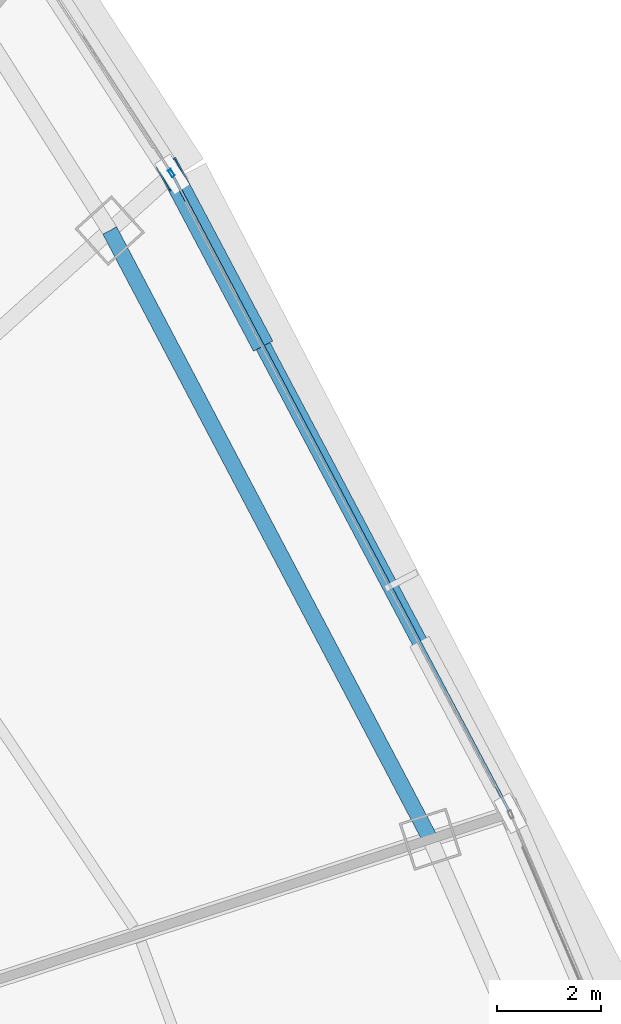
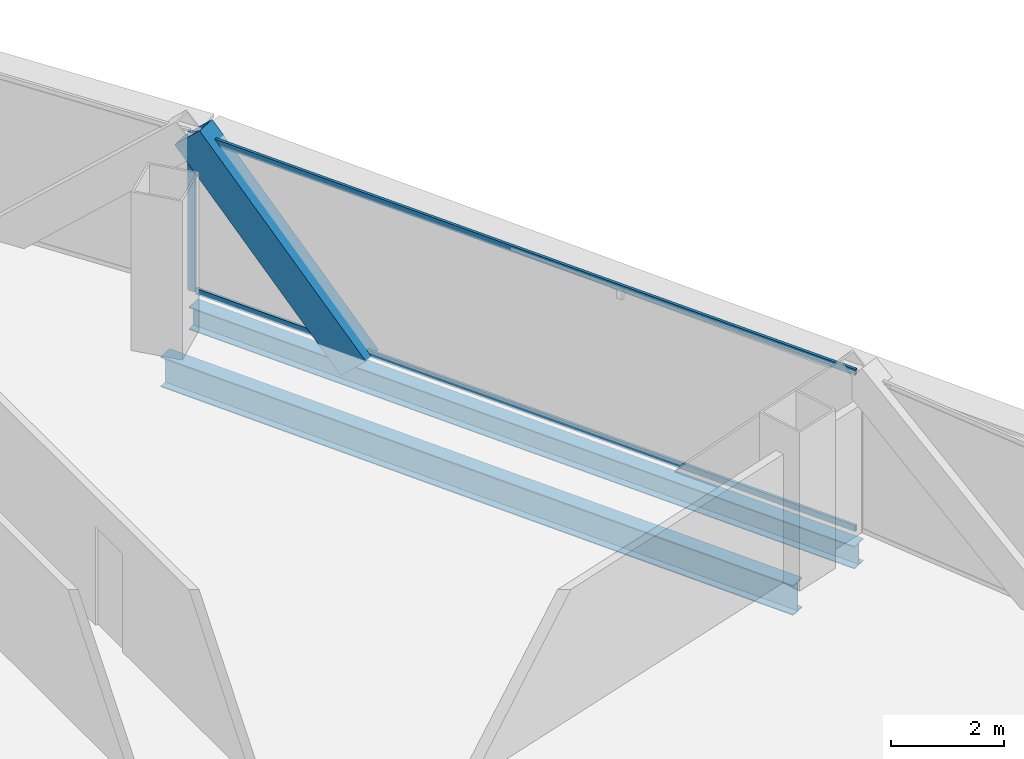
# One storey, part 27 of 39: 4 members, 2 beams, 2 elements without a shape of their own.
"""IFC4 building model written with IfcOpenShell, lengths in metres."""

from ifc_helpers import new_model, si_unit, direction, frame, origin, origin_2d, place, context, subcontext, project, spatial, hollow_rectangle, i_section, extrude, source, transform, mapped, material, layer, layer_set, material_profile, profile_set, type_object, element, aggregate, save


model = new_model("IFC4")

# Units and contexts
model_context = context("Model", 3, precision=1e-05, world=origin(), true_north=direction((0.0, 1.0)))
body_context = subcontext(model_context, "Body", "Model", "MODEL_VIEW")
ifc_project = project(units=[si_unit("LENGTHUNIT", "METRE"), si_unit("AREAUNIT", "SQUARE_METRE"), si_unit("VOLUMEUNIT", "CUBIC_METRE"), si_unit("PLANEANGLEUNIT", "RADIAN"), si_unit("MASSUNIT", "GRAM", prefix="KILO"), si_unit("THERMODYNAMICTEMPERATUREUNIT", "KELVIN"), si_unit("POWERUNIT", "WATT")], contexts=[model_context])

# Site, building, storey
site_placement = place(None, origin())
site = spatial("IfcSite", under=ifc_project, at=site_placement, CompositionType="ELEMENT")
building_placement = place(site_placement, origin())
building = spatial("IfcBuilding", under=site, at=building_placement, Name="Yunzhuo Pagoda Commons", CompositionType="ELEMENT")
storey_placement = place(building_placement, frame((0.0, 0.0, 140.8701171875)))
storey = spatial("IfcBuildingStorey", under=building, at=storey_placement, Name="L35", CompositionType="ELEMENT", Elevation=140.8701171875)

# Beams
ifc_material_1 = material(Name="Structural steel Q355B", Category="steel")
ifc_material_profile_1 = material_profile(ifc_material_1, i_section(OverallWidth=0.300048828125, OverallDepth=0.64990234375, WebThickness=0.012939453125, FlangeThickness=0.02197265625, at=origin_2d()), Name="Structural steel Q355B")
ifc_profile_set_1 = profile_set([ifc_material_profile_1], Name="Structural steel Q355B")
beam_type_1 = type_object("IfcBeamType", Name="B-RG2 Beam HN 650x300x13x22", PredefinedType="BEAM", material=ifc_profile_set_1)
shared_shape_1 = source(origin(), body_context, "Body", "SweptSolid", [
    extrude(i_section(OverallWidth=0.300048828125, OverallDepth=0.64990234375, WebThickness=0.012939453125, FlangeThickness=0.02197265625, at=origin_2d()), origin(), (0.0, 0.0, 1.0), 13.198974609375),
])
beam_1_placement = place(storey_placement, frame((77.915283203125, 43.420166015625, -0.585205078125), z_axis=(-0.465885937554, 0.884844784801, 0.0), x_axis=(-0.884844784801, -0.465885937554, 0.0)))
element("IfcBeam", 1, at=beam_1_placement, inside=storey, type_object=beam_type_1, Name="L35 column-ring beam 6", PredefinedType="BEAM", context=body_context, shape_type="MappedRepresentation", body=[
    mapped(shared_shape_1, transform((0.0, 0.0, 0.0), scale=1.0)),
])
ifc_material_profile_2 = material_profile(ifc_material_1, i_section(OverallWidth=0.300048828125, OverallDepth=0.488037109375, WebThickness=0.010986328125, FlangeThickness=0.01806640625, at=origin_2d()), Name="Structural steel Q355B")
ifc_profile_set_2 = profile_set([ifc_material_profile_2], Name="Structural steel Q355B")
beam_type_2 = type_object("IfcBeamType", Name="B-SP1 Beam HM 488x300x11x18", PredefinedType="BEAM", material=ifc_profile_set_2)
shared_shape_2 = source(origin(), body_context, "Body", "SweptSolid", [
    extrude(i_section(OverallWidth=0.300048828125, OverallDepth=0.488037109375, WebThickness=0.010986328125, FlangeThickness=0.01806640625, at=origin_2d()), origin(), (0.0, 0.0, 1.0), 13.869384765625),
])
beam_2_placement = place(storey_placement, frame((79.45166015625, 43.91943359375, -0.504150390625), z_axis=(-0.467725147868, 0.883873965027, 0.0), x_axis=(-0.883873965027, -0.467725147868, 0.0)))
element("IfcBeam", 2, at=beam_2_placement, inside=storey, type_object=beam_type_2, Name="L35 facade edge spandrel beam F2.2", PredefinedType="BEAM", context=body_context, shape_type="MappedRepresentation", body=[
    mapped(shared_shape_2, transform((0.0, 0.0, 0.0), scale=1.0)),
])

# Member
ifc_material_2 = material(Name="Structural steel Q420B", Category="steel")
ifc_material_profile_3 = material_profile(ifc_material_2, hollow_rectangle(XDim=0.419921875, YDim=0.719970703125, WallThickness=0.028076171875, at=origin_2d()), Name="Structural steel Q420B")
ifc_profile_set_3 = profile_set([ifc_material_profile_3], Name="Structural steel Q420B")
member_type_1 = type_object("IfcMemberType", Name="M-DL1 Brace BOX 720x420x28", PredefinedType="BRACE", material=ifc_profile_set_3)
shared_shape_3 = source(origin(), body_context, "Body", "SweptSolid", [
    extrude(hollow_rectangle(XDim=0.419921875, YDim=0.719970703125, WallThickness=0.028076171875, at=origin_2d()), origin(), (0.0, 0.0, 1.0), 5.05615234375),
])
member_1_placement = place(storey_placement, frame((74.58642578125, 53.113525390625, -0.260009765625), z_axis=(-0.320763482228, 0.606133372333, 0.727813934611), x_axis=(-0.883866687787, -0.467738899623, 0.0)))
element("IfcMember", 3, at=member_1_placement, inside=storey, type_object=member_type_1, Name="L35 facade diamond brace F2.2R", PredefinedType="BRACE", context=body_context, shape_type="MappedRepresentation", body=[
    mapped(shared_shape_3, transform((0.0, 0.0, 0.0), scale=1.0)),
])

# Curtain wall, member
ifc_material_3 = material(Name="Anodized aluminium 6063-T6", Category="aluminium")
ifc_layer = layer(ifc_material_3, 0.14990234375)
ifc_layer_set = layer_set([ifc_layer], Name="Anodized aluminium 6063-T6")
curtain_wall_type = type_object("IfcCurtainWallType", Name="CW-MID Mid-Zone Ribbon Curtain Wall", PredefinedType="NOTDEFINED", material=ifc_layer_set)
curtain_wall_1_placement = place(storey_placement, origin())
curtain_wall_1 = element("IfcCurtainWall", 4, at=curtain_wall_1_placement, inside=storey, type_object=curtain_wall_type, Name="L35 curtain wall CW-L35-F2B4", PredefinedType="NOTDEFINED")
ifc_material_profile_4 = material_profile(ifc_material_3, hollow_rectangle(XDim=0.06005859375, YDim=0.14990234375, WallThickness=0.00390625, at=origin_2d()), Name="Anodized aluminium 6063-T6")
ifc_profile_set_4 = profile_set([ifc_material_profile_4], Name="Anodized aluminium 6063-T6")
member_type_2 = type_object("IfcMemberType", Name="CW-MID-M Mullion RHS 150x60x4", PredefinedType="MULLION", material=ifc_profile_set_4)
shared_shape_4 = source(origin(), body_context, "Body", "SweptSolid", [
    extrude(hollow_rectangle(XDim=0.06005859375, YDim=0.14990234375, WallThickness=0.00390625, at=origin_2d()), origin(), (0.0, 0.0, 1.0), 3.419921875),
])
member_2_placement = place(storey_placement, frame((72.948486328125, 56.203369140625, 0.0), z_axis=(0.0, 0.0, 1.0), x_axis=(-0.839320281383, -0.543637255216, 0.0)))
member_2 = element("IfcMember", 5, at=member_2_placement, type_object=member_type_2, Name="CW mullion 1", PredefinedType="MULLION", context=body_context, shape_type="MappedRepresentation", body=[
    mapped(shared_shape_4, transform((0.0, 0.0, 0.0), scale=1.0)),
])
aggregate(curtain_wall_1, [member_2])

# Curtain wall, members
curtain_wall_2_placement = place(storey_placement, origin())
curtain_wall_2 = element("IfcCurtainWall", 6, at=curtain_wall_2_placement, inside=storey, type_object=curtain_wall_type, Name="L35 curtain wall CW-L35-F2B3", PredefinedType="NOTDEFINED")
ifc_material_profile_5 = material_profile(ifc_material_3, hollow_rectangle(XDim=0.054931640625, YDim=0.1298828125, WallThickness=0.00341796875, at=origin_2d()), Name="Anodized aluminium 6063-T6")
ifc_profile_set_5 = profile_set([ifc_material_profile_5], Name="Anodized aluminium 6063-T6")
member_type_3 = type_object("IfcMemberType", Name="CW-MID-T Transom RHS 130x55x3.5", PredefinedType="USERDEFINED", material=ifc_profile_set_5)
shared_shape_5 = source(origin(), body_context, "Body", "SweptSolid", [
    extrude(hollow_rectangle(XDim=0.054931640625, YDim=0.1298828125, WallThickness=0.00341796875, at=origin_2d()), origin(), (0.0, 0.0, 1.0), 13.74951171875),
])
member_3_placement = place(storey_placement, frame((79.423583984375, 43.972412109375, 0.02734375), z_axis=(-0.467720466259, 0.883876442407, 0.0), x_axis=(-0.883876442407, -0.467720466259, 0.0)))
member_3 = element("IfcMember", 7, at=member_3_placement, type_object=member_type_3, Name="CW transom 1.1", ObjectType="TRANSOM", PredefinedType="USERDEFINED", context=body_context, shape_type="MappedRepresentation", body=[
    mapped(shared_shape_5, transform((0.0, 0.0, 0.0), scale=1.0)),
])
member_4_placement = place(storey_placement, frame((79.423583984375, 43.972412109375, 3.392333984375), z_axis=(-0.467720466259, 0.883876442407, 0.0), x_axis=(-0.883876442407, -0.467720466259, 0.0)))
member_4 = element("IfcMember", 8, at=member_4_placement, type_object=member_type_3, Name="CW transom 1.2", ObjectType="TRANSOM", PredefinedType="USERDEFINED", context=body_context, shape_type="MappedRepresentation", body=[
    mapped(shared_shape_5, transform((0.0, 0.0, 0.0), scale=1.0)),
])
aggregate(curtain_wall_2, [member_3, member_4])

save(model, "model.ifc")
